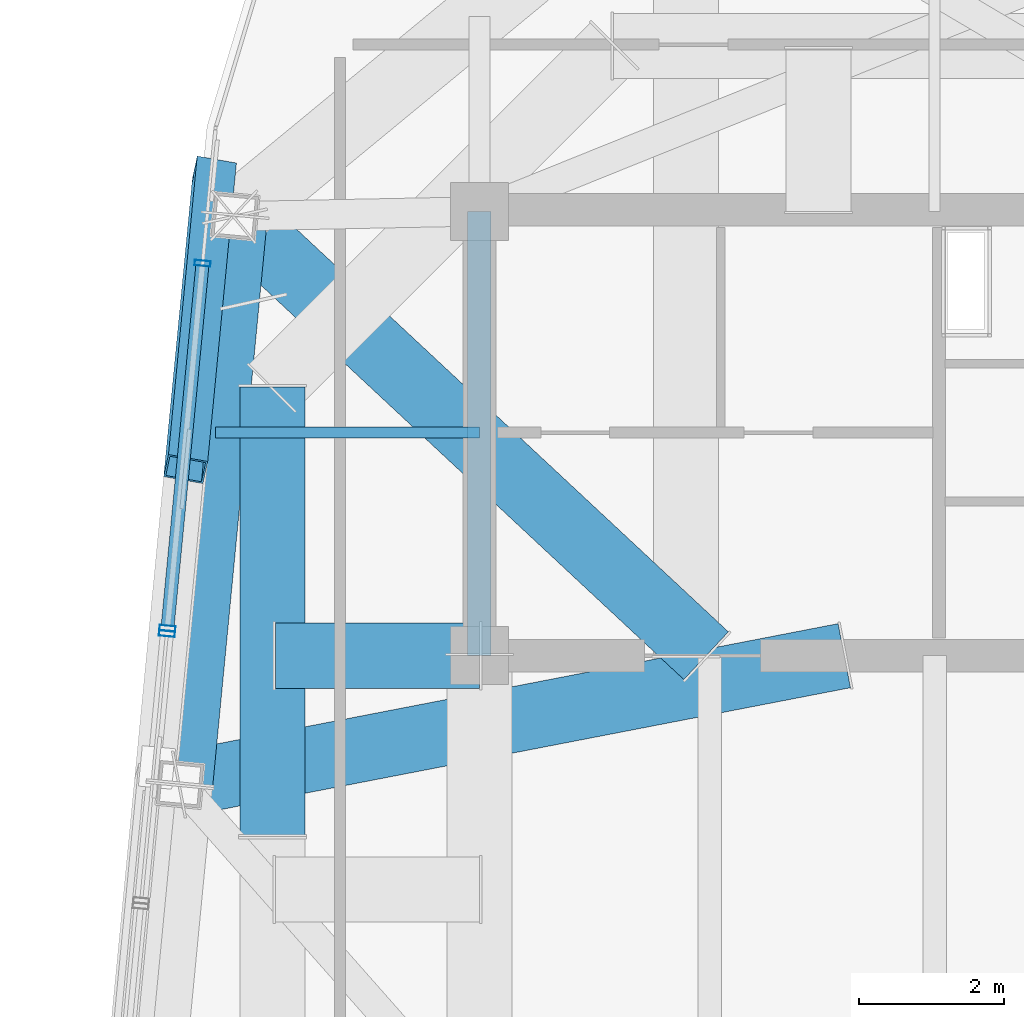
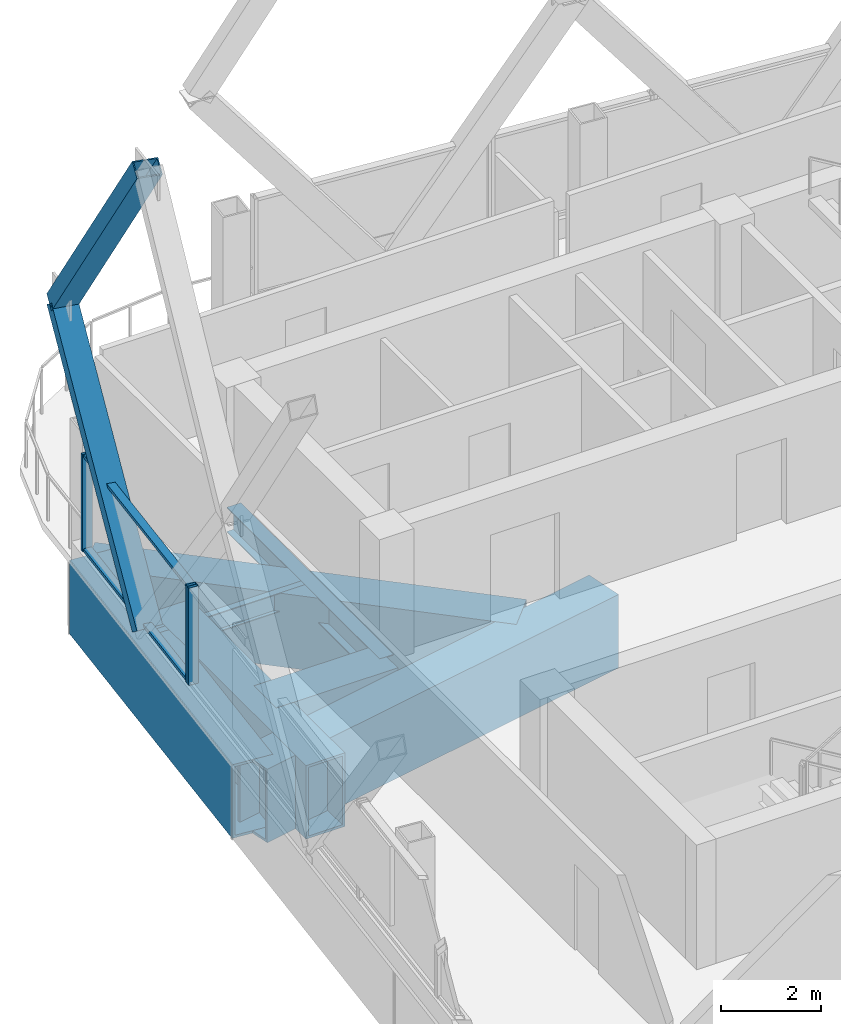
# One storey, part 14 of 31: 7 beams, 7 members, 2 elements without a shape of their own.
"""IFC4 building model written with IfcOpenShell, lengths in metres."""

import ifcopenshell
import ifcopenshell.guid

model = None  # the IFC model being written
_history = None  # IfcOwnerHistory: only IFC2X3 demands one
_inside = {}  # id of a spatial element -> (the spatial element, [elements in it])
_under = {}  # id of a project, library or spatial element -> (it, [spatial elements below it])
_declared = {}  # id of a project -> (the project, [libraries it declares])
_typed = {}  # id of a type object -> (the type object, [elements of that type])
_made_of = {}  # id of a material, layer set ... -> (it, [elements and type objects made of it])


def new_model(schema):
    """Start an empty IFC model of exactly this schema.

    Asked for "IFC4X3", IfcOpenShell would pick the latest addendum, in which some entities
    have other attributes; the version numbers below select the first issue.
    IFC2X3 requires an IfcOwnerHistory on every rooted entity: one is made here for all.
    """
    global model, _history
    if schema == "IFC4X3":
        model = ifcopenshell.file(schema_version=(4, 3, 0, 0))
    else:
        model = ifcopenshell.file(schema=schema)
    _inside.clear()
    _under.clear()
    _declared.clear()
    _typed.clear()
    _made_of.clear()
    _history = None
    if model.schema == "IFC2X3":
        org = make("IfcOrganization", Name="unknown")
        user = make(
            "IfcPersonAndOrganization",
            ThePerson=make("IfcPerson", FamilyName="unknown"),
            TheOrganization=org,
        )
        app = make(
            "IfcApplication",
            ApplicationDeveloper=org,
            Version="unknown",
            ApplicationFullName="unknown",
            ApplicationIdentifier="unknown",
        )
        _history = make(
            "IfcOwnerHistory",
            OwningUser=user,
            OwningApplication=app,
            ChangeAction="ADDED",
            CreationDate=0,
        )
    return model


def make(cls, **values):
    """One entity of the class cls with the attributes given. An attribute that is None is left unset."""
    return model.create_entity(
        cls, **{name: value for name, value in values.items() if value is not None}
    )


def rooted(cls, **values):
    """An entity with a GlobalId (a new one), such as an element, a storey or a relation."""
    return make(cls, GlobalId=ifcopenshell.guid.new(), OwnerHistory=_history, **values)


def si_unit(unit_type, name, prefix=None):
    """IfcSIUnit, for example si_unit("LENGTHUNIT", "METRE", prefix="MILLI")."""
    return make("IfcSIUnit", UnitType=unit_type, Prefix=prefix, Name=name)


def assignment(units):
    """IfcUnitAssignment: the units of a project."""
    return None if units is None else make("IfcUnitAssignment", Units=units)


def point(xyz):
    """IfcCartesianPoint."""
    return None if xyz is None else make("IfcCartesianPoint", Coordinates=xyz)


def direction(xyz):
    """IfcDirection."""
    return None if xyz is None else make("IfcDirection", DirectionRatios=xyz)


def frame(location, z_axis=None, x_axis=None):
    """IfcAxis2Placement3D, a coordinate frame: its origin and axes. An axis left out is left unset."""
    return make(
        "IfcAxis2Placement3D",
        Location=point(location),
        Axis=direction(z_axis),
        RefDirection=direction(x_axis),
    )


def frame_2d(location, x_axis=None):
    """IfcAxis2Placement2D, a coordinate frame in the plane: its origin and x axis."""
    return make(
        "IfcAxis2Placement2D", Location=point(location), RefDirection=direction(x_axis)
    )


def origin():
    """The frame at (0, 0, 0) with its axes left unset."""
    return frame((0.0, 0.0, 0.0))


def origin_2d():
    """The frame at (0, 0) in the plane with its x axis left unset."""
    return frame_2d((0.0, 0.0))


def place(relative_to, where):
    """IfcLocalPlacement: puts the frame where relative to a parent placement (None: the world)."""
    return make(
        "IfcLocalPlacement", PlacementRelTo=relative_to, RelativePlacement=where
    )


def context(
    kind, dimensions, precision=None, world=None, true_north=None, identifier=None
):
    """IfcGeometricRepresentationContext, for example the 3D "Model" context."""
    return make(
        "IfcGeometricRepresentationContext",
        ContextIdentifier=identifier,
        ContextType=kind,
        CoordinateSpaceDimension=dimensions,
        Precision=precision,
        WorldCoordinateSystem=world,
        TrueNorth=true_north,
    )


def subcontext(parent, identifier, kind, view, scale=None):
    """IfcGeometricRepresentationSubContext, for example "Body" below "Model"."""
    return make(
        "IfcGeometricRepresentationSubContext",
        ContextIdentifier=identifier,
        ContextType=kind,
        ParentContext=parent,
        TargetScale=scale,
        TargetView=view,
    )


def project(units=None, contexts=None):
    """IfcProject with its units and contexts."""
    return rooted(
        "IfcProject",
        Name="project",
        RepresentationContexts=contexts,
        UnitsInContext=assignment(units),
    )


def spatial(cls, under=None, at=None, **own):
    """A site, building, storey or space (cls), placed at a placement, below another one or the project."""
    s = rooted(cls, ObjectPlacement=at, **own)
    if under is not None:
        _under.setdefault(under.id(), (under, []))[1].append(s)
    return s


def profile(cls, at=None, kind="AREA", **sizes):
    """A parametric profile (cls). Its sizes go by their IFC names, for example OverallWidth=200.0."""
    return make(cls, ProfileType=kind, Position=at, **sizes)


def hollow_rectangle(**sizes):
    """IfcRectangleHollowProfileDef."""
    return profile("IfcRectangleHollowProfileDef", **sizes)


def i_section(**sizes):
    """IfcIShapeProfileDef."""
    return profile("IfcIShapeProfileDef", **sizes)


def extrude(swept, where, along, depth):
    """IfcExtrudedAreaSolid: the profile swept, set in the frame where, extruded along a direction by depth."""
    return make(
        "IfcExtrudedAreaSolid",
        SweptArea=swept,
        Position=where,
        ExtrudedDirection=direction(along),
        Depth=depth,
    )


def shape(context_of_items, identifier, shape_type, items):
    """IfcShapeRepresentation: the items that make up one representation, for example the "Body"."""
    return make(
        "IfcShapeRepresentation",
        ContextOfItems=context_of_items,
        RepresentationIdentifier=identifier,
        RepresentationType=shape_type,
        Items=items,
    )


def material(Name=None, Category=None):
    """IfcMaterial."""
    return make("IfcMaterial", Name=Name, Category=Category)


def layer(
    of_material, thickness, ventilated=None, Name=None, Category=None, Priority=None
):
    """IfcMaterialLayer: one layer of a wall or slab, of a material (None: an air gap)."""
    return make(
        "IfcMaterialLayer",
        Material=of_material,
        LayerThickness=thickness,
        IsVentilated=ventilated,
        Name=Name,
        Category=Category,
        Priority=Priority,
    )


def layer_set(layers, Name=None):
    """IfcMaterialLayerSet."""
    return make("IfcMaterialLayerSet", MaterialLayers=layers, LayerSetName=Name)


def material_profile(
    of_material, cross_section, Name=None, Category=None, Priority=None
):
    """IfcMaterialProfile: a cross section and its material."""
    return make(
        "IfcMaterialProfile",
        Name=Name,
        Material=of_material,
        Profile=cross_section,
        Priority=Priority,
        Category=Category,
    )


def profile_set(profiles, Name=None, composite=None):
    """IfcMaterialProfileSet."""
    return make(
        "IfcMaterialProfileSet",
        Name=Name,
        MaterialProfiles=profiles,
        CompositeProfile=composite,
    )


def made_of(thing, what):
    """Note that an element or type object is made of a material, layer set ...; save() writes the relation."""
    if what is not None:
        _made_of.setdefault(what.id(), (what, []))[1].append(thing)
    return thing


def type_object(cls, material=None, **own):
    """A type object (cls), such as IfcWallType, which elements share."""
    return made_of(rooted(cls, **own), material)


def element(
    cls,
    number,
    at=None,
    inside=None,
    cuts=None,
    type_object=None,
    material=None,
    context=None,
    identifier="Body",
    shape_type=None,
    held_by="IfcProductDefinitionShape",
    body=None,
    shapes=None,
    **own,
):
    """One element of the class cls, such as IfcWall. Its Tag is "e" and its number.

    at: its placement. inside: the storey or other place that contains it. cuts: it is an
    opening in that element (IfcRelVoidsElement). A single representation is given by context,
    identifier, shape_type and body (its items); several are given by shapes. held_by: the class
    of the entity that holds the representations. save() writes the other relations.
    """
    e = rooted(cls, Tag="e%d" % number, ObjectPlacement=at, **own)
    if body is not None:
        shapes = [shape(context, identifier, shape_type, body)]
    if shapes is not None:
        e.Representation = make(held_by, Representations=shapes)
    if inside is not None:
        _inside.setdefault(inside.id(), (inside, []))[1].append(e)
    if cuts is not None:
        rooted(
            "IfcRelVoidsElement", RelatingBuildingElement=cuts, RelatedOpeningElement=e
        )
    if type_object is not None:
        _typed.setdefault(type_object.id(), (type_object, []))[1].append(e)
    return made_of(e, material)


def aggregate(whole, parts):
    """IfcRelAggregates: a whole, such as a stair, and the parts it consists of."""
    return rooted("IfcRelAggregates", RelatingObject=whole, RelatedObjects=parts)


def save(model, path):
    """Write the relations noted so far, then the file.

    IfcRelAggregates (storeys below a building ...), IfcRelContainedInSpatialStructure (elements
    in a storey), IfcRelDefinesByType, IfcRelAssociatesMaterial and IfcRelDeclares: one each for
    every whole, place, type object, material and project.
    """
    for whole, parts in _under.values():
        aggregate(whole, parts)
    for where, things in _inside.values():
        rooted(
            "IfcRelContainedInSpatialStructure",
            RelatedElements=things,
            RelatingStructure=where,
        )
    for kind, things in _typed.values():
        rooted("IfcRelDefinesByType", RelatedObjects=things, RelatingType=kind)
    for what, things in _made_of.values():
        rooted("IfcRelAssociatesMaterial", RelatedObjects=things, RelatingMaterial=what)
    for by, libraries in _declared.values():
        rooted("IfcRelDeclares", RelatingContext=by, RelatedDefinitions=libraries)
    model.write(path)


model = new_model("IFC4")

# Units and contexts
model_context = context("Model", 3, precision=1e-05, world=origin(), true_north=direction((0.0, 1.0)))
body_context = subcontext(model_context, "Body", "Model", "MODEL_VIEW")
ifc_project = project(units=[si_unit("LENGTHUNIT", "METRE"), si_unit("AREAUNIT", "SQUARE_METRE"), si_unit("VOLUMEUNIT", "CUBIC_METRE"), si_unit("PLANEANGLEUNIT", "RADIAN"), si_unit("MASSUNIT", "GRAM", prefix="KILO")], contexts=[model_context])

# Site, building, storey
site_placement = place(None, origin())
site = spatial("IfcSite", under=ifc_project, at=site_placement, CompositionType="ELEMENT")
building_placement = place(site_placement, origin())
building = spatial("IfcBuilding", under=site, at=building_placement, Name="Qhalaya Broadcast Tower", CompositionType="ELEMENT")
storey_placement = place(building_placement, frame((0.0, 0.0, 242.85009765625)))
storey = spatial("IfcBuildingStorey", under=building, at=storey_placement, Name="L71", CompositionType="ELEMENT", Elevation=242.85009765625)

# Beams
ifc_material_1 = material(Name="Structural Steel ASTM A572 Grade 50", Category="steel")
ifc_material_profile_1 = material_profile(ifc_material_1, hollow_rectangle(XDim=0.89990234375, YDim=1.800048828125, WallThickness=0.06005859375, at=origin_2d()), Name="BOX 900x1800x60")
ifc_profile_set_1 = profile_set([ifc_material_profile_1], Name="Structural Steel ASTM A572 Grade 50")
beam_type_1 = type_object("IfcBeamType", Name="Block Cantilever Transfer Box Girder TG1", PredefinedType="USERDEFINED", material=ifc_profile_set_1)
beam_1_placement = place(storey_placement, frame((-12.74853515625, 9.883056640625, -1.090087890625), z_axis=(-0.095834223619, -0.995397308407, 0.0), x_axis=(0.995397308407, -0.095834223619, 0.0)))
element("IfcBeam", 1, at=beam_1_placement, inside=storey, type_object=beam_type_1, Name="L71 TG1 L71-SPR-13", ObjectType="GIRDER", PredefinedType="USERDEFINED", context=body_context, shape_type="SweptSolid", body=[
    extrude(hollow_rectangle(XDim=0.89990234375, YDim=1.800048828125, WallThickness=0.06005859375, at=origin_2d()), origin(), (0.0, 0.0, 1.0), 7.86669921875),
])
beam_2_placement = place(storey_placement, frame((-12.22998046875, 7.530029296875, -1.090087890625), z_axis=(0.0, -1.0, 0.0), x_axis=(1.0, 0.0, 0.0)))
element("IfcBeam", 2, at=beam_2_placement, inside=storey, type_object=beam_type_1, Name="L71 TG1 L71-TGL-13", ObjectType="GIRDER", PredefinedType="USERDEFINED", context=body_context, shape_type="SweptSolid", body=[
    extrude(hollow_rectangle(XDim=0.89990234375, YDim=1.800048828125, WallThickness=0.06005859375, at=origin_2d()), origin(), (0.0, 0.0, 1.0), 6.199951171875),
])
beam_3_placement = place(storey_placement, frame((-12.18994140625, 3.824951171875, -1.090087890625), z_axis=(1.0, 0.0, 0.0), x_axis=(0.0, 1.0, 0.0)))
element("IfcBeam", 3, at=beam_3_placement, inside=storey, type_object=beam_type_1, Name="L71 TG1 L71-TGIY3W-1", ObjectType="GIRDER", PredefinedType="USERDEFINED", context=body_context, shape_type="SweptSolid", body=[
    extrude(hollow_rectangle(XDim=0.89990234375, YDim=1.800048828125, WallThickness=0.06005859375, at=origin_2d()), origin(), (0.0, 0.0, 1.0), 2.81494140625),
])
beam_4_placement = place(storey_placement, frame((-6.250244140625, 3.824951171875, -1.090087890625), z_axis=(-0.731446270846, 0.681899078212, 0.0), x_axis=(-0.681899078212, -0.731446270846, 0.0)))
element("IfcBeam", 4, at=beam_4_placement, inside=storey, type_object=beam_type_1, Name="L71 Continuous Cantilever Transfer Box Girder 13", ObjectType="GIRDER", PredefinedType="USERDEFINED", context=body_context, shape_type="SweptSolid", body=[
    extrude(hollow_rectangle(XDim=0.89990234375, YDim=1.800048828125, WallThickness=0.06005859375, at=origin_2d()), origin(), (0.0, 0.0, 1.0), 8.88427734375),
])
beam_5_placement = place(storey_placement, frame((-4.345703125, 3.824951171875, -1.090087890625), z_axis=(-0.981776069637, -0.190041440451, 0.0), x_axis=(0.190041440451, -0.981776069637, 0.0)))
element("IfcBeam", 5, at=beam_5_placement, inside=storey, type_object=beam_type_1, Name="L71 Continuous Cantilever Transfer Box Girder 14", ObjectType="GIRDER", PredefinedType="USERDEFINED", context=body_context, shape_type="SweptSolid", body=[
    extrude(hollow_rectangle(XDim=0.89990234375, YDim=1.800048828125, WallThickness=0.06005859375, at=origin_2d()), origin(), (0.0, 0.0, 1.0), 9.32666015625),
])
ifc_material_2 = material(Name="Structural Steel ASTM A992 Grade 50", Category="steel")
ifc_material_profile_2 = material_profile(ifc_material_2, i_section(OverallWidth=0.154052734375, OverallDepth=0.458984375, WebThickness=0.009033203125, FlangeThickness=0.015380859375, at=origin_2d()), Name="W18X46")
ifc_profile_set_2 = profile_set([ifc_material_profile_2], Name="Structural Steel ASTM A992 Grade 50")
beam_type_2 = type_object("IfcBeamType", Name="Composite Floor Joist J04", PredefinedType="JOIST", material=ifc_profile_set_2)
beam_6_placement = place(storey_placement, frame((-13.015625, 6.89990234375, -0.419677734375), z_axis=(1.0, 0.0, 0.0), x_axis=(0.0, 1.0, 0.0)))
element("IfcBeam", 6, at=beam_6_placement, inside=storey, type_object=beam_type_2, Name="L71 J04 L71-JWE5W-1", PredefinedType="JOIST", context=body_context, shape_type="SweptSolid", body=[
    extrude(i_section(OverallWidth=0.154052734375, OverallDepth=0.458984375, WebThickness=0.009033203125, FlangeThickness=0.015380859375, at=origin_2d()), origin(), (0.0, 0.0, 1.0), 3.640625),
])
ifc_material_profile_3 = material_profile(ifc_material_2, i_section(OverallWidth=0.323974609375, OverallDepth=0.612060546875, WebThickness=0.0126953125, FlangeThickness=0.01904296875, at=origin_2d()), Name="W24X104")
ifc_profile_set_3 = profile_set([ifc_material_profile_3], Name="Structural Steel ASTM A992 Grade 50")
beam_type_3 = type_object("IfcBeamType", Name="Core Frame Tie Beam B04", PredefinedType="BEAM", material=ifc_profile_set_3)
beam_7_placement = place(storey_placement, frame((-9.375, 3.824951171875, -0.49609375), z_axis=(0.0, 1.0, 0.0), x_axis=(-1.0, 0.0, 0.0)))
element("IfcBeam", 7, at=beam_7_placement, inside=storey, type_object=beam_type_3, Name="L71 B04 L71-CCN2", PredefinedType="BEAM", context=body_context, shape_type="SweptSolid", body=[
    extrude(i_section(OverallWidth=0.323974609375, OverallDepth=0.612060546875, WebThickness=0.0126953125, FlangeThickness=0.01904296875, at=origin_2d()), origin(), (0.0, 0.0, 1.0), 6.125),
])

# Members
ifc_material_profile_4 = material_profile(ifc_material_1, hollow_rectangle(XDim=0.3798828125, YDim=0.550048828125, WallThickness=0.02490234375, at=origin_2d()), Name="BOX 380x550x25")
ifc_profile_set_4 = profile_set([ifc_material_profile_4], Name="Structural Steel ASTM A572 Grade 50")
member_type_1 = type_object("IfcMemberType", Name="Exoskeleton Diamond Diagonal Upper EX4", PredefinedType="BRACE", material=ifc_profile_set_4)
member_1_placement = place(storey_placement, frame((-13.425537109375, 6.3984375, 0.35986328125), z_axis=(0.058301925892, 0.605362942159, 0.793811434597), x_axis=(-0.171153078973, -0.777329359739, 0.60536409709)))
element("IfcMember", 8, at=member_1_placement, inside=storey, type_object=member_type_1, Name="B6 Exoskeleton Diamond Brace W1-D1", PredefinedType="BRACE", context=body_context, shape_type="SweptSolid", body=[
    extrude(hollow_rectangle(XDim=0.3798828125, YDim=0.550048828125, WallThickness=0.02490234375, at=origin_2d()), origin(), (0.0, 0.0, 1.0), 6.79638671875),
])
member_2_placement = place(storey_placement, frame((-13.029296875, 10.5126953125, 5.7548828125), z_axis=(-0.055161336321, -0.572753444041, 0.817869622443), x_axis=(0.17344881055, 0.801166493771, 0.572754536758)))
element("IfcMember", 9, at=member_2_placement, inside=storey, type_object=member_type_1, Name="B6 Exoskeleton Diamond Brace W1-D3", PredefinedType="BRACE", context=body_context, shape_type="SweptSolid", body=[
    extrude(hollow_rectangle(XDim=0.3798828125, YDim=0.550048828125, WallThickness=0.02490234375, at=origin_2d()), origin(), (0.0, 0.0, 1.0), 7.183349609375),
])

# Curtain wall, members
ifc_material_3 = material(Name="Fired Architectural Terracotta", Category="masonry")
ifc_layer_1 = layer(ifc_material_3, 0.219970703125, Name="Fired Architectural Terracotta")
ifc_layer_set_1 = layer_set([ifc_layer_1], Name="Fired Architectural Terracotta")
curtain_wall_type_1 = type_object("IfcCurtainWallType", Name="Block-Cap Unitised Terracotta Spandrel Wall CW-07", PredefinedType="NOTDEFINED", material=ifc_layer_set_1)
curtain_wall_1_placement = place(storey_placement, origin())
curtain_wall_1 = element("IfcCurtainWall", 10, at=curtain_wall_1_placement, inside=storey, type_object=curtain_wall_type_1, Name="L71 Unitised Curtain Wall L71-CW-W1", PredefinedType="NOTDEFINED")
ifc_material_4 = material(Name="Anodised Aluminium 6063-T6", Category="aluminium")
ifc_material_profile_5 = material_profile(ifc_material_4, hollow_rectangle(XDim=0.074951171875, YDim=0.219970703125, WallThickness=0.00390625, at=origin_2d()), Name="ALU-MUL 75x220x4")
ifc_profile_set_5 = profile_set([ifc_material_profile_5], Name="Anodised Aluminium 6063-T6")
member_type_2 = type_object("IfcMemberType", Name="Unitised Curtain-Wall Mullion M01", PredefinedType="MULLION", material=ifc_profile_set_5)
member_3_placement = place(storey_placement, frame((-13.192626953125, 9.235107421875, 0.47998046875), z_axis=(0.0, 0.0, 1.0), x_axis=(-0.095847607498, -0.995396019751, 0.0)))
member_3 = element("IfcMember", 11, at=member_3_placement, type_object=member_type_2, Name="CW-07 mullion 1", PredefinedType="MULLION", context=body_context, shape_type="SweptSolid", body=[
    extrude(hollow_rectangle(XDim=0.074951171875, YDim=0.219970703125, WallThickness=0.00390625, at=origin_2d()), origin(), (0.0, 0.0, 1.0), 2.3798828125),
])
member_4_placement = place(storey_placement, frame((-13.677001953125, 4.203369140625, 0.47998046875), z_axis=(0.0, 0.0, 1.0), x_axis=(-0.095847607498, -0.995396019751, 0.0)))
member_4 = element("IfcMember", 12, at=member_4_placement, type_object=member_type_2, Name="CW-07 mullion 2", PredefinedType="MULLION", context=body_context, shape_type="SweptSolid", body=[
    extrude(hollow_rectangle(XDim=0.074951171875, YDim=0.219970703125, WallThickness=0.00390625, at=origin_2d()), origin(), (0.0, 0.0, 1.0), 2.3798828125),
])

# Curtain wall, member
ifc_material_5 = material(Name="Solar-Control Low-E Triple Glazing", Category="glass")
ifc_layer_2 = layer(ifc_material_5, 0.219970703125, Name="Solar-Control Low-E Triple Glazing")
ifc_layer_set_2 = layer_set([ifc_layer_2], Name="Solar-Control Low-E Triple Glazing")
curtain_wall_type_2 = type_object("IfcCurtainWallType", Name="High-Altitude Upper-Shaft Triple Low-E Curtain Wall CW-04", PredefinedType="NOTDEFINED", material=ifc_layer_set_2)
curtain_wall_2_placement = place(storey_placement, origin())
curtain_wall_2 = element("IfcCurtainWall", 13, at=curtain_wall_2_placement, inside=storey, type_object=curtain_wall_type_2, Name="L71 Unitised Curtain Wall L71-CW-W2", PredefinedType="NOTDEFINED")
member_5_placement = place(storey_placement, frame((-13.684326171875, 4.128662109375, 0.47998046875), z_axis=(0.0, 0.0, 1.0), x_axis=(-0.095839673292, -0.995396783712, 0.0)))
member_5 = element("IfcMember", 14, at=member_5_placement, type_object=member_type_2, Name="CW-04 mullion 1", PredefinedType="MULLION", context=body_context, shape_type="SweptSolid", body=[
    extrude(hollow_rectangle(XDim=0.074951171875, YDim=0.219970703125, WallThickness=0.00390625, at=origin_2d()), origin(), (0.0, 0.0, 1.0), 2.3798828125),
])
aggregate(curtain_wall_2, [member_5])

# Member
ifc_material_profile_6 = material_profile(ifc_material_4, hollow_rectangle(XDim=0.074951171875, YDim=0.179931640625, WallThickness=0.00390625, at=origin_2d()), Name="ALU-TRN 75x180x4")
ifc_profile_set_6 = profile_set([ifc_material_profile_6], Name="Anodised Aluminium 6063-T6")
member_type_3 = type_object("IfcMemberType", Name="Unitised Curtain-Wall Transom T01", PredefinedType="USERDEFINED", material=ifc_profile_set_6)
member_6_placement = place(storey_placement, frame((-13.1962890625, 9.19775390625, 0.517333984375), z_axis=(-0.095843186117, -0.99539644548, 0.0), x_axis=(0.0, 0.0, 1.0)))
member_6 = element("IfcMember", 15, at=member_6_placement, type_object=member_type_3, Name="CW-07 transom 1.1", ObjectType="TRANSOM", PredefinedType="USERDEFINED", context=body_context, shape_type="SweptSolid", body=[
    extrude(hollow_rectangle(XDim=0.074951171875, YDim=0.179931640625, WallThickness=0.00390625, at=origin_2d()), origin(), (0.0, 0.0, 1.0), 4.97998046875),
])

member_7_placement = place(storey_placement, frame((-13.1962890625, 9.19775390625, 2.822509765625), z_axis=(-0.095843186117, -0.99539644548, 0.0), x_axis=(0.0, 0.0, 1.0)))
member_7 = element("IfcMember", 16, at=member_7_placement, type_object=member_type_3, Name="CW-07 transom 1.2", ObjectType="TRANSOM", PredefinedType="USERDEFINED", context=body_context, shape_type="SweptSolid", body=[
    extrude(hollow_rectangle(XDim=0.074951171875, YDim=0.179931640625, WallThickness=0.00390625, at=origin_2d()), origin(), (0.0, 0.0, 1.0), 4.97998046875),
])

aggregate(curtain_wall_1, [member_3, member_4, member_6, member_7])

save(model, "model.ifc")
